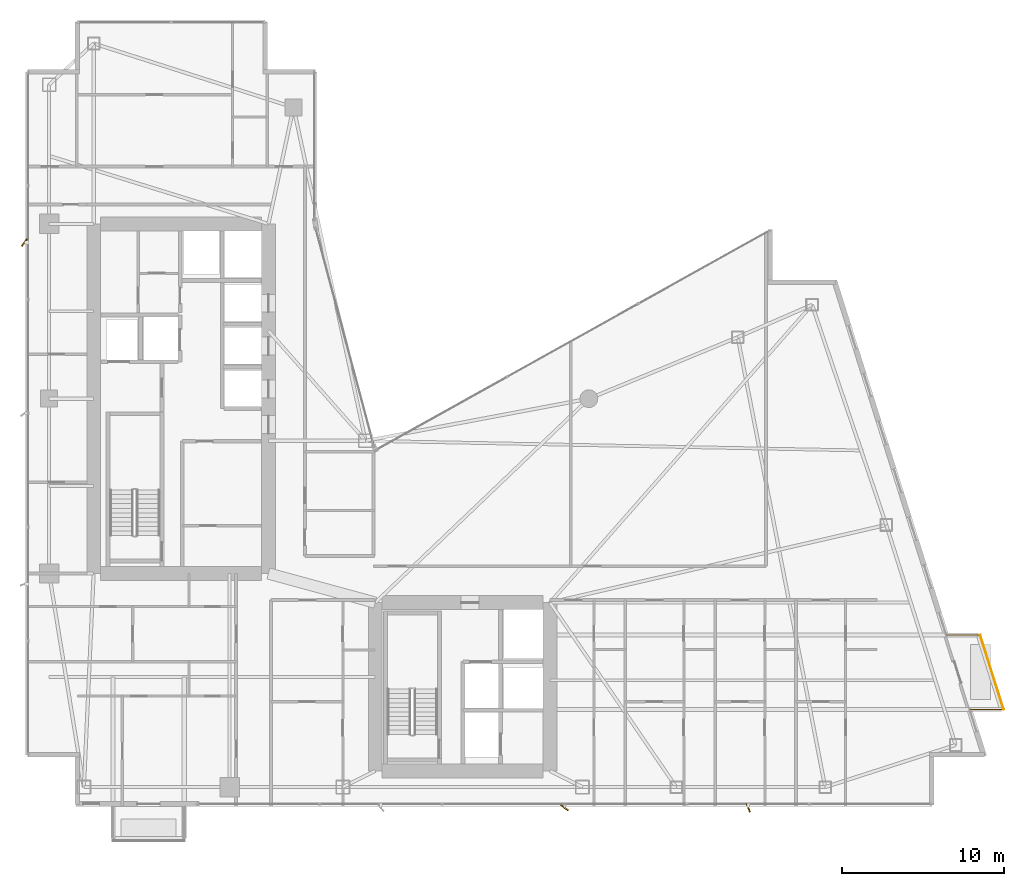
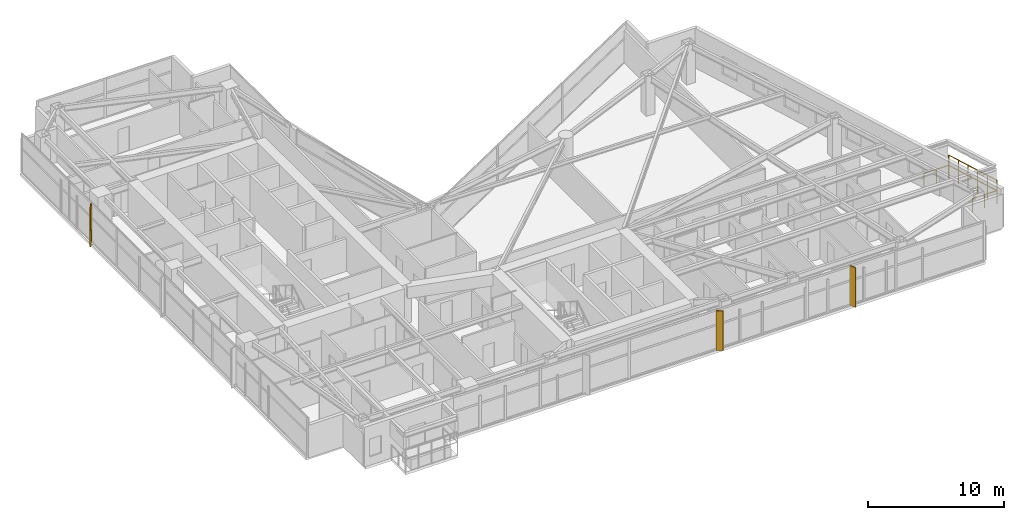
# One storey, part 29 of 29: 3 shading devices, 2 railings.
"""IFC4 building model written with IfcOpenShell, lengths in metres."""

from ifc_helpers import new_model, si_unit, direction, frame, origin, origin_2d, place, context, subcontext, project, spatial, rectangle, circle, extrude, material, type_object, element, save


model = new_model("IFC4")

# Units and contexts
model_context = context("Model", 3, precision=1e-05, world=origin(), true_north=direction((0.0, 1.0)))
body_context = subcontext(model_context, "Body", "Model", "MODEL_VIEW")
ifc_project = project(units=[si_unit("LENGTHUNIT", "METRE"), si_unit("AREAUNIT", "SQUARE_METRE"), si_unit("VOLUMEUNIT", "CUBIC_METRE"), si_unit("PLANEANGLEUNIT", "RADIAN"), si_unit("MASSUNIT", "GRAM", prefix="KILO")], contexts=[model_context])

# Site, building, storey
site_placement = place(None, origin())
site = spatial("IfcSite", under=ifc_project, at=site_placement, CompositionType="ELEMENT")
building_placement = place(site_placement, origin())
building = spatial("IfcBuilding", under=site, at=building_placement, Name="Calvorn Quay Hotel", CompositionType="ELEMENT")
storey_placement = place(building_placement, frame((0.0, 0.0, 167.5)))
storey = spatial("IfcBuildingStorey", under=building, at=storey_placement, Name="L41", CompositionType="ELEMENT", Elevation=167.5)

# Railings
ifc_material_1 = material(Name="Pale Anodised Aluminium and Laminated Glass", Category="aluminium")
railing_type = type_object("IfcRailingType", Name="RLG-BALUSTRADE-1200", PredefinedType="BALUSTRADE", material=ifc_material_1)
railing_1_placement = place(storey_placement, frame((58.327880859375, 8.39990234375, 0.0)))
element("IfcRailing", 1, at=railing_1_placement, inside=storey, type_object=railing_type, Name="Tree Balcony Perimeter Balustrade L41-BALC-E", PredefinedType="BALUSTRADE", context=body_context, shape_type="SweptSolid", body=[
    extrude(circle(Radius=0.02392578125, at=origin_2d()), frame((0.0, 0.0, 1.17578125), z_axis=(1.0, 0.0, 0.0), x_axis=(0.0, 1.0, 0.0)), (0.0, 0.0, 1.0), 2.10009765625),
    extrude(circle(Radius=0.02392578125, at=origin_2d()), frame((2.10009765625, 0.0, 1.17578125), z_axis=(-0.300620172346, 0.953743944662, 0.0), x_axis=(-0.953743944662, -0.300620172346, 0.0)), (0.0, 0.0, 1.0), 4.8232421875),
    extrude(circle(Radius=0.02392578125, at=origin_2d()), frame((0.650146484375, 4.60009765625, 1.17578125), z_axis=(-1.0, 0.0, 0.0), x_axis=(0.0, -1.0, 0.0)), (0.0, 0.0, 1.0), 2.10009765625),
    extrude(circle(Radius=0.02099609375, at=origin_2d()), origin(), (0.0, 0.0, 1.0), 1.15185546875),
    extrude(circle(Radius=0.02099609375, at=origin_2d()), frame((1.050048828125, 0.0, 0.0)), (0.0, 0.0, 1.0), 1.15185546875),
    extrude(circle(Radius=0.02099609375, at=origin_2d()), frame((2.10009765625, 0.0, 0.0)), (0.0, 0.0, 1.0), 1.15185546875),
    extrude(circle(Radius=0.02099609375, at=origin_2d()), frame((1.81005859375, 0.919921875, 0.0)), (0.0, 0.0, 1.0), 1.15185546875),
    extrude(circle(Radius=0.02099609375, at=origin_2d()), frame((1.52001953125, 1.840087890625, 0.0)), (0.0, 0.0, 1.0), 1.15185546875),
    extrude(circle(Radius=0.02099609375, at=origin_2d()), frame((1.230224609375, 2.760009765625, 0.0)), (0.0, 0.0, 1.0), 1.15185546875),
    extrude(circle(Radius=0.02099609375, at=origin_2d()), frame((0.940185546875, 3.68017578125, 0.0)), (0.0, 0.0, 1.0), 1.15185546875),
    extrude(circle(Radius=0.02099609375, at=origin_2d()), frame((0.650146484375, 4.60009765625, 0.0)), (0.0, 0.0, 1.0), 1.15185546875),
    extrude(circle(Radius=0.02099609375, at=origin_2d()), frame((-0.39990234375, 4.60009765625, 0.0)), (0.0, 0.0, 1.0), 1.15185546875),
    extrude(circle(Radius=0.02099609375, at=origin_2d()), frame((-1.449951171875, 4.60009765625, 0.0)), (0.0, 0.0, 1.0), 1.15185546875),
])
railing_2_placement = place(storey_placement, frame((60.427978515625, 8.39990234375, 0.89990234375)))
element("IfcRailing", 2, at=railing_2_placement, inside=storey, type_object=railing_type, Name="Planter Kerb High Safety Screen L41-BALC-E", PredefinedType="BALUSTRADE", context=body_context, shape_type="SweptSolid", body=[
    extrude(circle(Radius=0.02392578125, at=origin_2d()), frame((0.0, 0.0, 1.19580078125), z_axis=(-0.300620172346, 0.953743944662, 0.0), x_axis=(-0.953743944662, -0.300620172346, 0.0)), (0.0, 0.0, 1.0), 4.8232421875),
    extrude(circle(Radius=0.02099609375, at=origin_2d()), origin(), (0.0, 0.0, 1.0), 1.171875),
    extrude(circle(Radius=0.02099609375, at=origin_2d()), frame((-0.2900390625, 0.919921875, 0.0)), (0.0, 0.0, 1.0), 1.171875),
    extrude(circle(Radius=0.02099609375, at=origin_2d()), frame((-0.580078125, 1.840087890625, 0.0)), (0.0, 0.0, 1.0), 1.171875),
    extrude(circle(Radius=0.02099609375, at=origin_2d()), frame((-0.869873046875, 2.760009765625, 0.0)), (0.0, 0.0, 1.0), 1.171875),
    extrude(circle(Radius=0.02099609375, at=origin_2d()), frame((-1.159912109375, 3.68017578125, 0.0)), (0.0, 0.0, 1.0), 1.171875),
    extrude(circle(Radius=0.02099609375, at=origin_2d()), frame((-1.449951171875, 4.60009765625, 0.0)), (0.0, 0.0, 1.0), 1.171875),
])

# Shading devices
ifc_material_2 = material(Name="Champagne Bronze Anodised Aluminium 6063-T6", Category="aluminium")
shading_device_type_1 = type_object("IfcShadingDeviceType", Name="SHD-FIN-A1", PredefinedType="USERDEFINED", material=ifc_material_2)
shading_device_placement = place(storey_placement, frame((44.64990234375, 2.320068359375, 0.0), z_axis=(0.0, 0.0, 1.0), x_axis=(-0.374606593416, 0.927183854567, 0.0)))
element("IfcShadingDevice", 3, at=shading_device_placement, inside=storey, type_object=shading_device_type_1, Name="Diagonal Sun-Shading Fin L41-S03", ObjectType="FIN", PredefinedType="USERDEFINED", context=body_context, shape_type="SweptSolid", body=[
    extrude(rectangle(XDim=0.550048828125, YDim=0.080078125, at=origin_2d()), origin(), (0.0, 0.0, 1.0), 3.56005859375),
])
ifc_material_3 = material(Name="Champagne Bronze Anodised Aluminium 6063-T6", Category="aluminium")
shading_device_type_2 = type_object("IfcShadingDeviceType", Name="SHD-FIN-A3", PredefinedType="USERDEFINED", material=ifc_material_3)
for number, where, z_axis, x_axis, name in (
    (4, (-0.080078125, 37.25, 0.0), (0.0, 0.0, 1.0), (0.587785252292, 0.809016994375, 0.0), "Diagonal Sun-Shading Fin L41-W03"),
    (5, (33.300048828125, 2.320068359375, 0.0), (0.0, 0.0, 1.0), (-0.809016994375, 0.587785252292, 0.0), "Diagonal Sun-Shading Fin L41-S02"),
):
    element("IfcShadingDevice", number, at=place(storey_placement, frame(where, z_axis=z_axis, x_axis=x_axis)), inside=storey, type_object=shading_device_type_2, Name=name, ObjectType="FIN", PredefinedType="USERDEFINED", context=body_context, shape_type="SweptSolid", body=[
        extrude(rectangle(XDim=0.550048828125, YDim=0.080078125, at=origin_2d()), origin(), (0.0, 0.0, 1.0), 3.56005859375),
    ])

save(model, "model.ifc")
